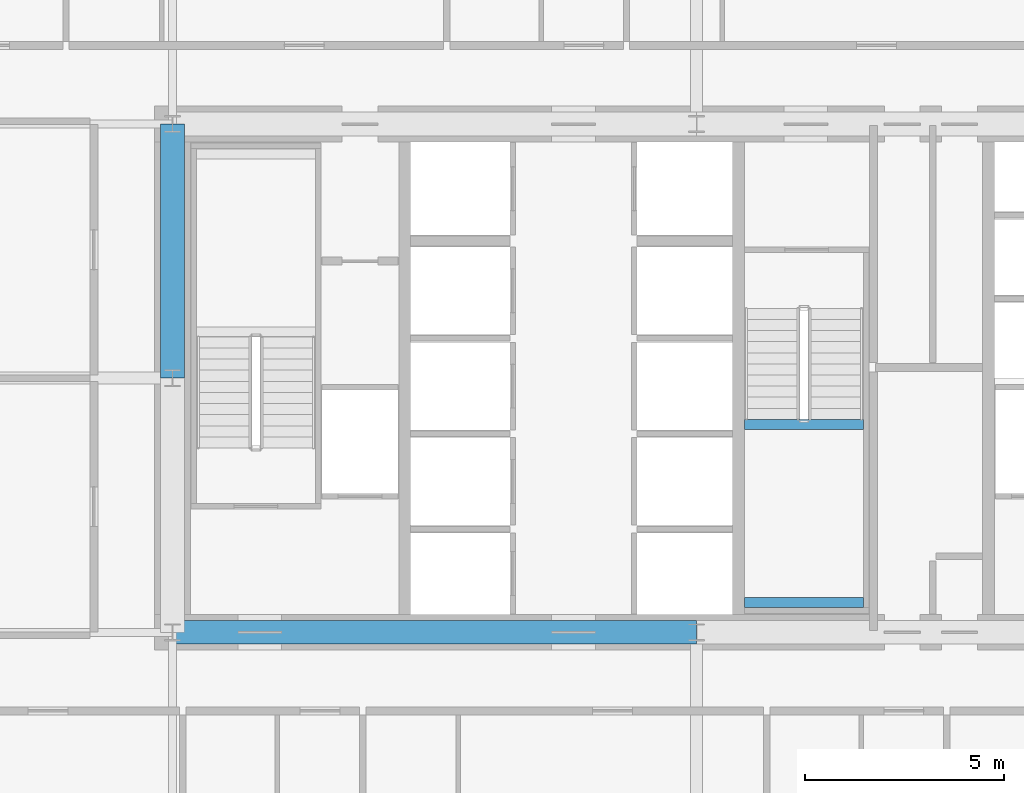
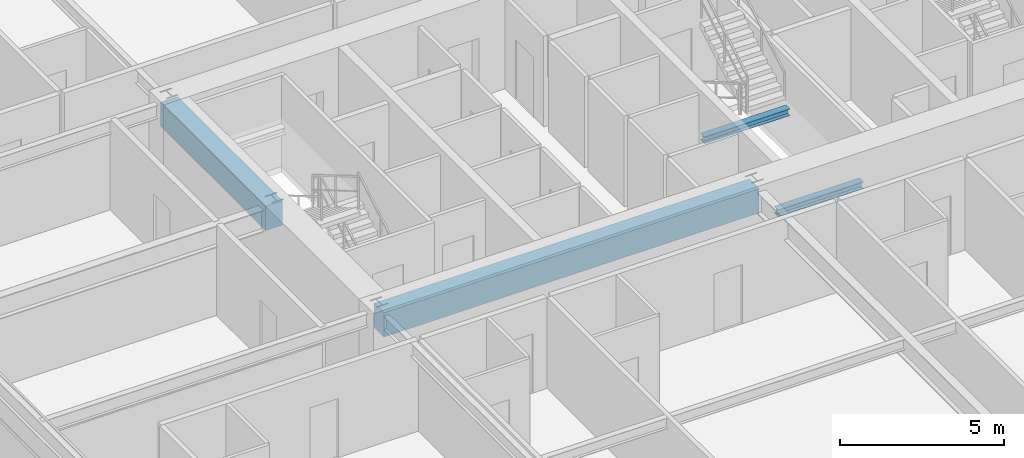
# One storey, part 13 of 43: 4 beams.
"""IFC4 building model written with IfcOpenShell, lengths in metres."""

import ifcopenshell
import ifcopenshell.guid

model = None  # the IFC model being written
_history = None  # IfcOwnerHistory: only IFC2X3 demands one
_inside = {}  # id of a spatial element -> (the spatial element, [elements in it])
_under = {}  # id of a project, library or spatial element -> (it, [spatial elements below it])
_declared = {}  # id of a project -> (the project, [libraries it declares])
_typed = {}  # id of a type object -> (the type object, [elements of that type])
_made_of = {}  # id of a material, layer set ... -> (it, [elements and type objects made of it])


def new_model(schema):
    """Start an empty IFC model of exactly this schema.

    Asked for "IFC4X3", IfcOpenShell would pick the latest addendum, in which some entities
    have other attributes; the version numbers below select the first issue.
    IFC2X3 requires an IfcOwnerHistory on every rooted entity: one is made here for all.
    """
    global model, _history
    if schema == "IFC4X3":
        model = ifcopenshell.file(schema_version=(4, 3, 0, 0))
    else:
        model = ifcopenshell.file(schema=schema)
    _inside.clear()
    _under.clear()
    _declared.clear()
    _typed.clear()
    _made_of.clear()
    _history = None
    if model.schema == "IFC2X3":
        org = make("IfcOrganization", Name="unknown")
        user = make(
            "IfcPersonAndOrganization",
            ThePerson=make("IfcPerson", FamilyName="unknown"),
            TheOrganization=org,
        )
        app = make(
            "IfcApplication",
            ApplicationDeveloper=org,
            Version="unknown",
            ApplicationFullName="unknown",
            ApplicationIdentifier="unknown",
        )
        _history = make(
            "IfcOwnerHistory",
            OwningUser=user,
            OwningApplication=app,
            ChangeAction="ADDED",
            CreationDate=0,
        )
    return model


def make(cls, **values):
    """One entity of the class cls with the attributes given. An attribute that is None is left unset."""
    return model.create_entity(
        cls, **{name: value for name, value in values.items() if value is not None}
    )


def rooted(cls, **values):
    """An entity with a GlobalId (a new one), such as an element, a storey or a relation."""
    return make(cls, GlobalId=ifcopenshell.guid.new(), OwnerHistory=_history, **values)


def si_unit(unit_type, name, prefix=None):
    """IfcSIUnit, for example si_unit("LENGTHUNIT", "METRE", prefix="MILLI")."""
    return make("IfcSIUnit", UnitType=unit_type, Prefix=prefix, Name=name)


def assignment(units):
    """IfcUnitAssignment: the units of a project."""
    return None if units is None else make("IfcUnitAssignment", Units=units)


def point(xyz):
    """IfcCartesianPoint."""
    return None if xyz is None else make("IfcCartesianPoint", Coordinates=xyz)


def direction(xyz):
    """IfcDirection."""
    return None if xyz is None else make("IfcDirection", DirectionRatios=xyz)


def frame(location, z_axis=None, x_axis=None):
    """IfcAxis2Placement3D, a coordinate frame: its origin and axes. An axis left out is left unset."""
    return make(
        "IfcAxis2Placement3D",
        Location=point(location),
        Axis=direction(z_axis),
        RefDirection=direction(x_axis),
    )


def frame_2d(location, x_axis=None):
    """IfcAxis2Placement2D, a coordinate frame in the plane: its origin and x axis."""
    return make(
        "IfcAxis2Placement2D", Location=point(location), RefDirection=direction(x_axis)
    )


def origin():
    """The frame at (0, 0, 0) with its axes left unset."""
    return frame((0.0, 0.0, 0.0))


def origin_2d():
    """The frame at (0, 0) in the plane with its x axis left unset."""
    return frame_2d((0.0, 0.0))


def place(relative_to, where):
    """IfcLocalPlacement: puts the frame where relative to a parent placement (None: the world)."""
    return make(
        "IfcLocalPlacement", PlacementRelTo=relative_to, RelativePlacement=where
    )


def context(
    kind, dimensions, precision=None, world=None, true_north=None, identifier=None
):
    """IfcGeometricRepresentationContext, for example the 3D "Model" context."""
    return make(
        "IfcGeometricRepresentationContext",
        ContextIdentifier=identifier,
        ContextType=kind,
        CoordinateSpaceDimension=dimensions,
        Precision=precision,
        WorldCoordinateSystem=world,
        TrueNorth=true_north,
    )


def subcontext(parent, identifier, kind, view, scale=None):
    """IfcGeometricRepresentationSubContext, for example "Body" below "Model"."""
    return make(
        "IfcGeometricRepresentationSubContext",
        ContextIdentifier=identifier,
        ContextType=kind,
        ParentContext=parent,
        TargetScale=scale,
        TargetView=view,
    )


def project(units=None, contexts=None):
    """IfcProject with its units and contexts."""
    return rooted(
        "IfcProject",
        Name="project",
        RepresentationContexts=contexts,
        UnitsInContext=assignment(units),
    )


def spatial(cls, under=None, at=None, **own):
    """A site, building, storey or space (cls), placed at a placement, below another one or the project."""
    s = rooted(cls, ObjectPlacement=at, **own)
    if under is not None:
        _under.setdefault(under.id(), (under, []))[1].append(s)
    return s


def profile(cls, at=None, kind="AREA", **sizes):
    """A parametric profile (cls). Its sizes go by their IFC names, for example OverallWidth=200.0."""
    return make(cls, ProfileType=kind, Position=at, **sizes)


def rectangle(**sizes):
    """IfcRectangleProfileDef."""
    return profile("IfcRectangleProfileDef", **sizes)


def i_section(**sizes):
    """IfcIShapeProfileDef."""
    return profile("IfcIShapeProfileDef", **sizes)


def extrude(swept, where, along, depth):
    """IfcExtrudedAreaSolid: the profile swept, set in the frame where, extruded along a direction by depth."""
    return make(
        "IfcExtrudedAreaSolid",
        SweptArea=swept,
        Position=where,
        ExtrudedDirection=direction(along),
        Depth=depth,
    )


def shape(context_of_items, identifier, shape_type, items):
    """IfcShapeRepresentation: the items that make up one representation, for example the "Body"."""
    return make(
        "IfcShapeRepresentation",
        ContextOfItems=context_of_items,
        RepresentationIdentifier=identifier,
        RepresentationType=shape_type,
        Items=items,
    )


def source(mapping_origin, context_of_items, identifier, shape_type, items):
    """IfcRepresentationMap: a shape defined once, which mapped items show again and again."""
    return make(
        "IfcRepresentationMap",
        MappingOrigin=mapping_origin,
        MappedRepresentation=shape(context_of_items, identifier, shape_type, items),
    )


def transform(
    local_origin,
    x_axis=None,
    y_axis=None,
    z_axis=None,
    scale=None,
    scale2=None,
    scale3=None,
    uniform=True,
):
    """IfcCartesianTransformationOperator3D, or its non-uniform kind. x_axis, y_axis, z_axis: its Axis1, 2, 3."""
    if uniform:
        return make(
            "IfcCartesianTransformationOperator3D",
            Axis1=direction(x_axis),
            Axis2=direction(y_axis),
            LocalOrigin=point(local_origin),
            Scale=scale,
            Axis3=direction(z_axis),
        )
    return make(
        "IfcCartesianTransformationOperator3DnonUniform",
        Axis1=direction(x_axis),
        Axis2=direction(y_axis),
        LocalOrigin=point(local_origin),
        Scale=scale,
        Axis3=direction(z_axis),
        Scale2=scale2,
        Scale3=scale3,
    )


def mapped(mapping_source, mapping_target):
    """IfcMappedItem: shows the shape of a source again, moved by a transform."""
    return make(
        "IfcMappedItem", MappingSource=mapping_source, MappingTarget=mapping_target
    )


def material(Name=None, Category=None):
    """IfcMaterial."""
    return make("IfcMaterial", Name=Name, Category=Category)


def material_profile(
    of_material, cross_section, Name=None, Category=None, Priority=None
):
    """IfcMaterialProfile: a cross section and its material."""
    return make(
        "IfcMaterialProfile",
        Name=Name,
        Material=of_material,
        Profile=cross_section,
        Priority=Priority,
        Category=Category,
    )


def profile_set(profiles, Name=None, composite=None):
    """IfcMaterialProfileSet."""
    return make(
        "IfcMaterialProfileSet",
        Name=Name,
        MaterialProfiles=profiles,
        CompositeProfile=composite,
    )


def made_of(thing, what):
    """Note that an element or type object is made of a material, layer set ...; save() writes the relation."""
    if what is not None:
        _made_of.setdefault(what.id(), (what, []))[1].append(thing)
    return thing


def type_object(cls, material=None, **own):
    """A type object (cls), such as IfcWallType, which elements share."""
    return made_of(rooted(cls, **own), material)


def element(
    cls,
    number,
    at=None,
    inside=None,
    cuts=None,
    type_object=None,
    material=None,
    context=None,
    identifier="Body",
    shape_type=None,
    held_by="IfcProductDefinitionShape",
    body=None,
    shapes=None,
    **own,
):
    """One element of the class cls, such as IfcWall. Its Tag is "e" and its number.

    at: its placement. inside: the storey or other place that contains it. cuts: it is an
    opening in that element (IfcRelVoidsElement). A single representation is given by context,
    identifier, shape_type and body (its items); several are given by shapes. held_by: the class
    of the entity that holds the representations. save() writes the other relations.
    """
    e = rooted(cls, Tag="e%d" % number, ObjectPlacement=at, **own)
    if body is not None:
        shapes = [shape(context, identifier, shape_type, body)]
    if shapes is not None:
        e.Representation = make(held_by, Representations=shapes)
    if inside is not None:
        _inside.setdefault(inside.id(), (inside, []))[1].append(e)
    if cuts is not None:
        rooted(
            "IfcRelVoidsElement", RelatingBuildingElement=cuts, RelatedOpeningElement=e
        )
    if type_object is not None:
        _typed.setdefault(type_object.id(), (type_object, []))[1].append(e)
    return made_of(e, material)


def aggregate(whole, parts):
    """IfcRelAggregates: a whole, such as a stair, and the parts it consists of."""
    return rooted("IfcRelAggregates", RelatingObject=whole, RelatedObjects=parts)


def save(model, path):
    """Write the relations noted so far, then the file.

    IfcRelAggregates (storeys below a building ...), IfcRelContainedInSpatialStructure (elements
    in a storey), IfcRelDefinesByType, IfcRelAssociatesMaterial and IfcRelDeclares: one each for
    every whole, place, type object, material and project.
    """
    for whole, parts in _under.values():
        aggregate(whole, parts)
    for where, things in _inside.values():
        rooted(
            "IfcRelContainedInSpatialStructure",
            RelatedElements=things,
            RelatingStructure=where,
        )
    for kind, things in _typed.values():
        rooted("IfcRelDefinesByType", RelatedObjects=things, RelatingType=kind)
    for what, things in _made_of.values():
        rooted("IfcRelAssociatesMaterial", RelatedObjects=things, RelatingMaterial=what)
    for by, libraries in _declared.values():
        rooted("IfcRelDeclares", RelatingContext=by, RelatedDefinitions=libraries)
    model.write(path)


model = new_model("IFC4")

# Units and contexts
model_context = context("Model", 3, precision=1e-05, world=origin(), true_north=direction((0.0, 1.0)))
body_context = subcontext(model_context, "Body", "Model", "MODEL_VIEW")
ifc_project = project(units=[si_unit("LENGTHUNIT", "METRE"), si_unit("AREAUNIT", "SQUARE_METRE"), si_unit("VOLUMEUNIT", "CUBIC_METRE"), si_unit("PLANEANGLEUNIT", "RADIAN"), si_unit("MASSUNIT", "GRAM", prefix="KILO"), si_unit("THERMODYNAMICTEMPERATUREUNIT", "KELVIN"), si_unit("POWERUNIT", "WATT")], contexts=[model_context])

# Site, building, storey
site_placement = place(None, origin())
site = spatial("IfcSite", under=ifc_project, at=site_placement, CompositionType="ELEMENT")
building_placement = place(site_placement, origin())
building = spatial("IfcBuilding", under=site, at=building_placement, Name="Yuzanri Waterfront Tower", CompositionType="ELEMENT")
storey_placement = place(building_placement, frame((0.0, 0.0, 71.199951171875)))
storey = spatial("IfcBuildingStorey", under=building, at=storey_placement, Name="L18", CompositionType="ELEMENT", Elevation=71.199951171875)

# Beams
ifc_material_1 = material(Name="Concrete C60", Category="concrete")
ifc_material_profile_1 = material_profile(ifc_material_1, rectangle(XDim=0.60009765625, YDim=0.89990234375, at=origin_2d()), Name="RC 600x900")
ifc_profile_set_1 = profile_set([ifc_material_profile_1], Name="Concrete C60")
beam_type_1 = type_object("IfcBeamType", Name="Core Coupling Lintel Concrete C60 600x900", PredefinedType="LINTEL", material=ifc_profile_set_1)
shared_shape_1 = source(origin(), body_context, "Body", "SweptSolid", [
    extrude(rectangle(XDim=0.60009765625, YDim=0.89990234375, at=origin_2d()), origin(), (0.0, 0.0, 1.0), 13.199951171875),
])
beam_1_placement = place(storey_placement, frame((23.800048828125, 19.39990234375, 2.929931640625), z_axis=(1.0, 0.0, 0.0), x_axis=(0.0, 1.0, 0.0)))
element("IfcBeam", 1, at=beam_1_placement, inside=storey, type_object=beam_type_1, Name="L18 Core Tie Beam CS1", PredefinedType="LINTEL", context=body_context, shape_type="MappedRepresentation", body=[
    mapped(shared_shape_1, transform((0.0, 0.0, 0.0), scale=1.0)),
])
shared_shape_2 = source(origin(), body_context, "Body", "SweptSolid", [
    extrude(rectangle(XDim=0.60009765625, YDim=0.89990234375, at=origin_2d()), origin(), (0.0, 0.0, 1.0), 6.39990234375),
])
beam_2_placement = place(storey_placement, frame((23.800048828125, 25.800048828125, 2.929931640625), z_axis=(0.0, 1.0, 0.0), x_axis=(-1.0, 0.0, 0.0)))
element("IfcBeam", 2, at=beam_2_placement, inside=storey, type_object=beam_type_1, Name="L18 Core Tie Beam CW2", PredefinedType="LINTEL", context=body_context, shape_type="MappedRepresentation", body=[
    mapped(shared_shape_2, transform((0.0, 0.0, 0.0), scale=1.0)),
])
ifc_material_2 = material(Name="Steel Q355B", Category="steel")
ifc_material_profile_2 = material_profile(ifc_material_2, i_section(OverallWidth=0.25, OverallDepth=0.25, WebThickness=0.009033203125, FlangeThickness=0.013916015625, at=origin_2d()), Name="HW 250x250x9x14")
ifc_profile_set_2 = profile_set([ifc_material_profile_2], Name="Steel Q355B")
beam_type_2 = type_object("IfcBeamType", Name="Stair Landing Support Beam Q355B HW 250x250", PredefinedType="BEAM", material=ifc_profile_set_2)
shared_shape_3 = source(origin(), body_context, "Body", "SweptSolid", [
    extrude(i_section(OverallWidth=0.25, OverallDepth=0.25, WebThickness=0.009033203125, FlangeThickness=0.013916015625, at=origin_2d()), origin(), (0.0, 0.0, 1.0), 3.0),
])
for number, where, z_axis, x_axis, name in (
    (3, (38.199951171875, 20.14990234375, 1.47509765625), (1.0, 0.0, 0.0), (0.0, 1.0, 0.0), "L18 Stair Landing Support Beam ST-03-L18-L1-1"),
    (4, (38.199951171875, 24.6298828125, 1.47509765625), (1.0, 0.0, 0.0), (0.0, 1.0, 0.0), "L18 Stair Landing Support Beam ST-03-L18-L1-2"),
):
    element("IfcBeam", number, at=place(storey_placement, frame(where, z_axis=z_axis, x_axis=x_axis)), inside=storey, type_object=beam_type_2, Name=name, PredefinedType="BEAM", context=body_context, shape_type="MappedRepresentation", body=[
        mapped(shared_shape_3, transform((0.0, 0.0, 0.0), scale=1.0)),
    ])

save(model, "model.ifc")
